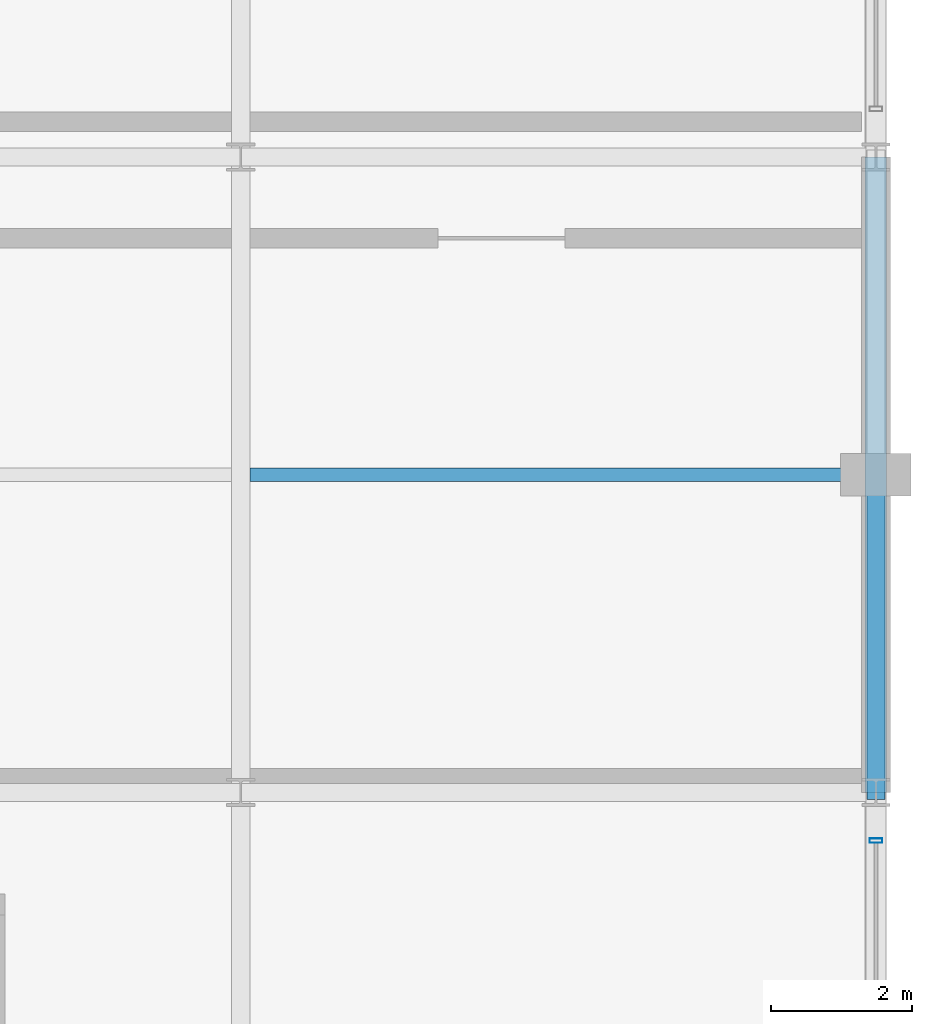
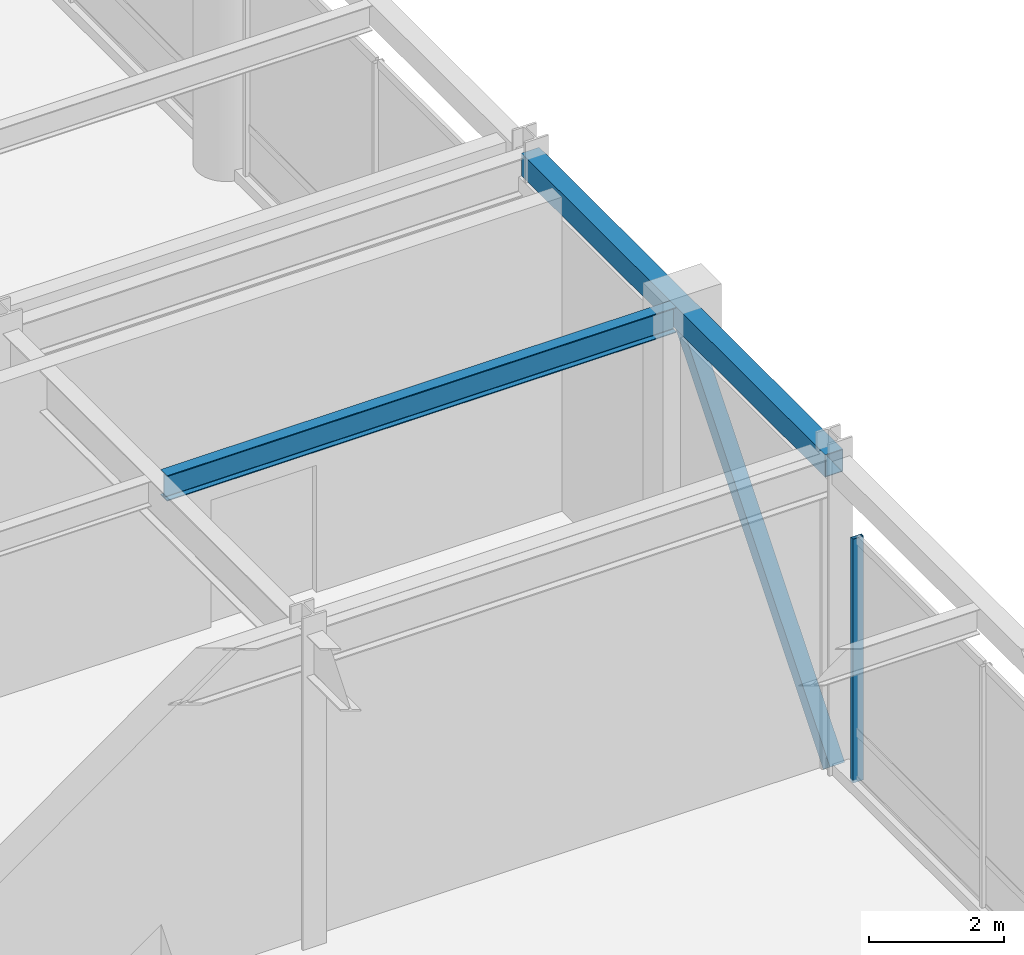
# One storey, part 41 of 105: 2 beams, 2 members, 1 element without a shape of its own.
"""IFC4 building model written with IfcOpenShell, lengths in metres."""

from ifc_helpers import new_model, si_unit, direction, frame, origin, origin_2d, place, context, subcontext, project, spatial, hollow_rectangle, i_section, extrude, material, material_profile, profile_set, type_object, element, aggregate, save


model = new_model("IFC4")

# Units and contexts
model_context = context("Model", 3, precision=1e-05, world=origin(), true_north=direction((0.0, 1.0)))
body_context = subcontext(model_context, "Body", "Model", "MODEL_VIEW")
ifc_project = project(units=[si_unit("LENGTHUNIT", "METRE"), si_unit("AREAUNIT", "SQUARE_METRE"), si_unit("VOLUMEUNIT", "CUBIC_METRE"), si_unit("PLANEANGLEUNIT", "RADIAN"), si_unit("MASSUNIT", "GRAM", prefix="KILO")], contexts=[model_context])

# Site, building, storey
site_placement = place(None, origin())
site = spatial("IfcSite", under=ifc_project, at=site_placement, CompositionType="ELEMENT")
building_placement = place(site_placement, origin())
building = spatial("IfcBuilding", under=site, at=building_placement, Name="Kaldorvane Square Convention Centre", CompositionType="ELEMENT")
storey_placement = place(building_placement, frame((0.0, 0.0, 6.0)))
storey = spatial("IfcBuildingStorey", under=building, at=storey_placement, Name="L01", CompositionType="ELEMENT", Elevation=6.0)

# Beams
ifc_material_1 = material(Name="Steel ASTM A992 Gr. 50", Category="steel")
ifc_material_profile_1 = material_profile(ifc_material_1, i_section(OverallWidth=0.1912994384765625, OverallDepth=0.4600067138671875, WebThickness=0.0099029541015625, FlangeThickness=0.0160064697265625, FilletRadius=0.01019287109375, at=origin_2d()), Name="W18X55")
ifc_profile_set_1 = profile_set([ifc_material_profile_1], Name="Steel ASTM A992 Gr. 50")
beam_type_1 = type_object("IfcBeamType", Name="BM-JS-W18X55", PredefinedType="JOIST", material=ifc_profile_set_1)
beam_1_placement = place(storey_placement, frame((165.13330078125, 13.5, 5.4459991455078125), z_axis=(1.0, 0.0, 0.0), x_axis=(0.0, 1.0, 0.0)))
element("IfcBeam", 1, at=beam_1_placement, inside=storey, type_object=beam_type_1, Name="Secondary Floor Joist (L01)", PredefinedType="JOIST", context=body_context, shape_type="SweptSolid", body=[
    extrude(i_section(OverallWidth=0.1912994384765625, OverallDepth=0.4600067138671875, WebThickness=0.0099029541015625, FlangeThickness=0.0160064697265625, FilletRadius=0.01019287109375, at=origin_2d()), origin(), (0.0, 0.0, 1.0), 8.71429443359375),
])
ifc_material_2 = material(Name="Steel ASTM A500 Gr. C", Category="steel")
ifc_material_profile_2 = material_profile(ifc_material_2, hollow_rectangle(XDim=0.3047943115234375, YDim=0.406402587890625, WallThickness=0.0117950439453125, at=origin_2d()), Name="HSS16X12X1/2")
ifc_profile_set_2 = profile_set([ifc_material_profile_2], Name="Steel ASTM A500 Gr. C")
beam_type_2 = type_object("IfcBeamType", Name="BM-SP-HSS16", PredefinedType="SPANDREL", material=ifc_profile_set_2)
beam_2_placement = place(storey_placement, frame((174.0, 9.0, 5.4727935791015625), z_axis=(0.0, 1.0, 0.0), x_axis=(-1.0, 0.0, 0.0)))
element("IfcBeam", 2, at=beam_2_placement, inside=storey, type_object=beam_type_2, Name="End Spandrel (L01)", PredefinedType="SPANDREL", context=body_context, shape_type="SweptSolid", body=[
    extrude(hollow_rectangle(XDim=0.3047943115234375, YDim=0.406402587890625, WallThickness=0.0117950439453125, at=origin_2d()), origin(), (0.0, 0.0, 1.0), 9.0),
])

# Curtain wall, member
ifc_material_3 = material(Name="Anodized Aluminum and Low-E Insulated Glazing", Category="aluminium")
curtain_wall_type = type_object("IfcCurtainWallType", Name="CW-UNI-P60-09", PredefinedType="USERDEFINED", material=ifc_material_3)
curtain_wall_placement = place(storey_placement, origin())
curtain_wall = element("IfcCurtainWall", 3, at=curtain_wall_placement, inside=storey, type_object=curtain_wall_type, Name="Curtain Wall CW-02 (L01)", ObjectType="UNITISED GLAZING", PredefinedType="USERDEFINED")
ifc_material_profile_3 = material_profile(ifc_material_3, hollow_rectangle(XDim=0.06500244140625, YDim=0.17999267578125, WallThickness=0.0034942626953125, at=origin_2d()), Name="CWM-180X65")
ifc_profile_set_3 = profile_set([ifc_material_profile_3], Name="Anodized Aluminum and Low-E Insulated Glazing")
member_type_1 = type_object("IfcMemberType", Name="CW-MUL-180", PredefinedType="MULLION", material=ifc_profile_set_3)
member_1_placement = place(storey_placement, frame((174.0, 8.3175048828125, 0.149993896484375), z_axis=(0.0, 0.0, 1.0), x_axis=(0.0, 1.0, 0.0)))
member_1 = element("IfcMember", 4, at=member_1_placement, type_object=member_type_1, Name="CW-02 mullion 3", PredefinedType="MULLION", context=body_context, shape_type="SweptSolid", body=[
    extrude(hollow_rectangle(XDim=0.06500244140625, YDim=0.17999267578125, WallThickness=0.0034942626953125, at=origin_2d()), origin(), (0.0, 0.0, 1.0), 4.410003662109375),
])
aggregate(curtain_wall, [member_1])

# Member
ifc_material_profile_4 = material_profile(ifc_material_2, hollow_rectangle(XDim=0.253997802734375, YDim=0.253997802734375, WallThickness=0.0117950439453125, at=origin_2d()), Name="HSS10X10X1/2")
ifc_profile_set_4 = profile_set([ifc_material_profile_4], Name="Steel ASTM A500 Gr. C")
member_type_2 = type_object("IfcMemberType", Name="MB-BR-HSS10", PredefinedType="BRACE", material=ifc_profile_set_4)
member_2_placement = place(storey_placement, frame((174.0, 9.0, 0.0), z_axis=(0.0, 0.635117820374, 0.772415273181), x_axis=(-1.0, 0.0, 0.0)))
element("IfcMember", 5, at=member_2_placement, inside=storey, type_object=member_type_2, Name="Seismic Chevron Brace X174-B1A (L01)", PredefinedType="BRACE", context=body_context, shape_type="SweptSolid", body=[
    extrude(hollow_rectangle(XDim=0.253997802734375, YDim=0.253997802734375, WallThickness=0.0117950439453125, at=origin_2d()), origin(), (0.0, 0.0, 1.0), 7.085296630859375),
])

save(model, "model.ifc")
